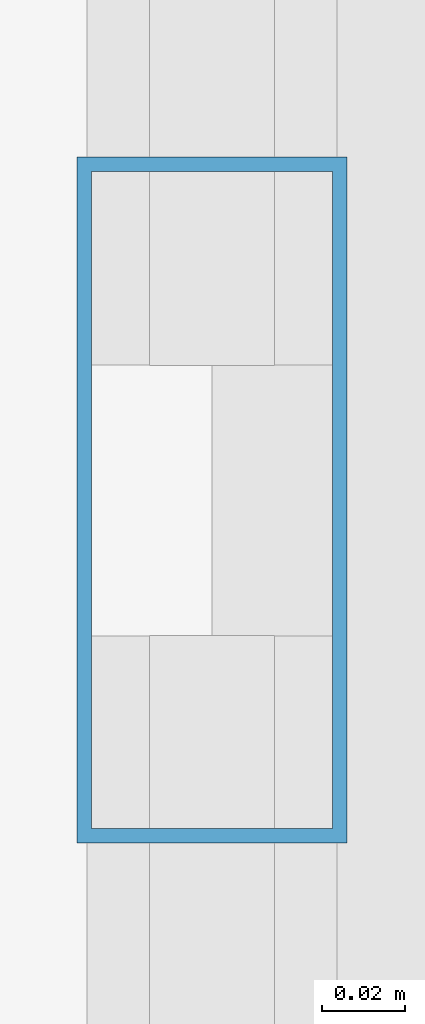
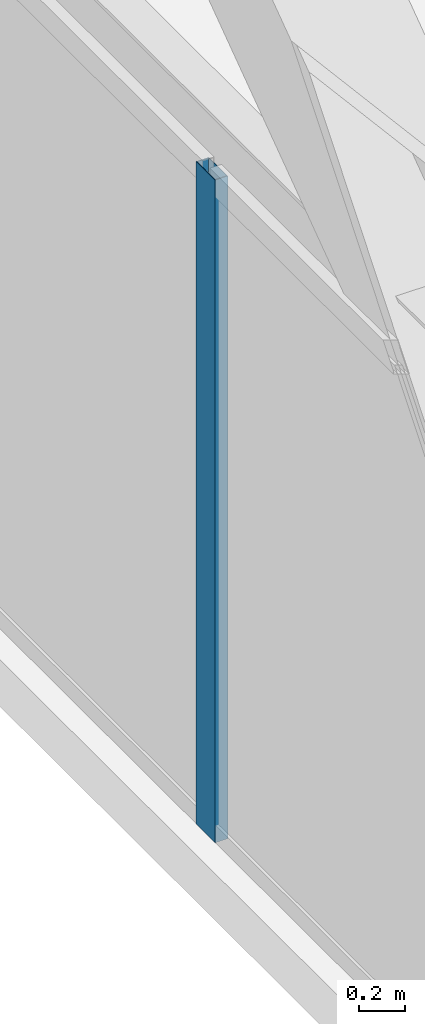
# One storey, part 10 of 34: 1 member, 1 element without a shape of its own.
"""IFC4 building model written with IfcOpenShell, lengths in metres."""

from ifc_helpers import new_model, si_unit, direction, frame, origin, origin_2d, place, context, subcontext, project, spatial, hollow_rectangle, extrude, source, transform, mapped, material, layer, layer_set, material_profile, profile_set, type_object, type_shapes, element, aggregate, save


model = new_model("IFC4")

# Units and contexts
model_context = context("Model", 3, precision=1e-05, world=origin(), true_north=direction((0.0, 1.0)))
body_context = subcontext(model_context, "Body", "Model", "MODEL_VIEW")
ifc_project = project(units=[si_unit("LENGTHUNIT", "METRE"), si_unit("AREAUNIT", "SQUARE_METRE"), si_unit("VOLUMEUNIT", "CUBIC_METRE"), si_unit("PLANEANGLEUNIT", "RADIAN"), si_unit("MASSUNIT", "GRAM", prefix="KILO")], contexts=[model_context])

# Site, building, storey
site_placement = place(None, origin())
site = spatial("IfcSite", under=ifc_project, at=site_placement, CompositionType="ELEMENT")
building_placement = place(site_placement, origin())
building = spatial("IfcBuilding", under=site, at=building_placement, Name="Varnel Quay Broadcast Tower", CompositionType="ELEMENT")
storey_placement = place(building_placement, frame((0.0, 0.0, 176.199951171875)))
storey = spatial("IfcBuildingStorey", under=building, at=storey_placement, Name="L43", CompositionType="ELEMENT", Elevation=176.199951171875)

# Curtain wall, member
ifc_material = material(Name="Anodised Bronze Aluminium 6063-T6", Category="aluminium")
ifc_layer = layer(ifc_material, 0.18994140625, Name="Anodised Bronze Aluminium 6063-T6")
ifc_layer_set = layer_set([ifc_layer], Name="Anodised Bronze Aluminium 6063-T6")
curtain_wall_type = type_object("IfcCurtainWallType", Name="CW_UpperTower", PredefinedType="NOTDEFINED", material=ifc_layer_set)
curtain_wall_placement = place(storey_placement, origin())
curtain_wall = element("IfcCurtainWall", 1, at=curtain_wall_placement, inside=storey, type_object=curtain_wall_type, Name="L43 West Unitised Curtain Wall", PredefinedType="NOTDEFINED")
ifc_material_profile = material_profile(ifc_material, hollow_rectangle(XDim=0.06494140625, YDim=0.1650390625, WallThickness=0.00341796875, at=origin_2d()), Name="ALU65X165X3.5")
ifc_profile_set = profile_set([ifc_material_profile], Name="Anodised Bronze Aluminium 6063-T6")
member_type = type_object("IfcMemberType", Name="Mull_CWS-03", PredefinedType="MULLION", material=ifc_profile_set)
shared_shape = source(origin(), body_context, "Body", "SweptSolid", [
    extrude(hollow_rectangle(XDim=0.06494140625, YDim=0.1650390625, WallThickness=0.00341796875, at=origin_2d()), origin(), (0.0, 0.0, 1.0), 3.550048828125),
])
type_shapes(member_type, [shared_shape])
member_placement = place(storey_placement, frame((7.14990234375, 21.60009765625, 0.0), z_axis=(0.0, 0.0, 1.0), x_axis=(-1.0, 0.0, 0.0)))
member = element("IfcMember", 2, at=member_placement, type_object=member_type, Name="CWS-03 mullion 2", PredefinedType="MULLION", context=body_context, shape_type="MappedRepresentation", body=[
    mapped(shared_shape, transform((0.0, 0.0, 0.0), x_axis=(1.0, 0.0, 0.0), y_axis=(0.0, 1.0, 0.0), z_axis=(0.0, 0.0, 1.0), scale=1.0)),
])
aggregate(curtain_wall, [member])

save(model, "model.ifc")
